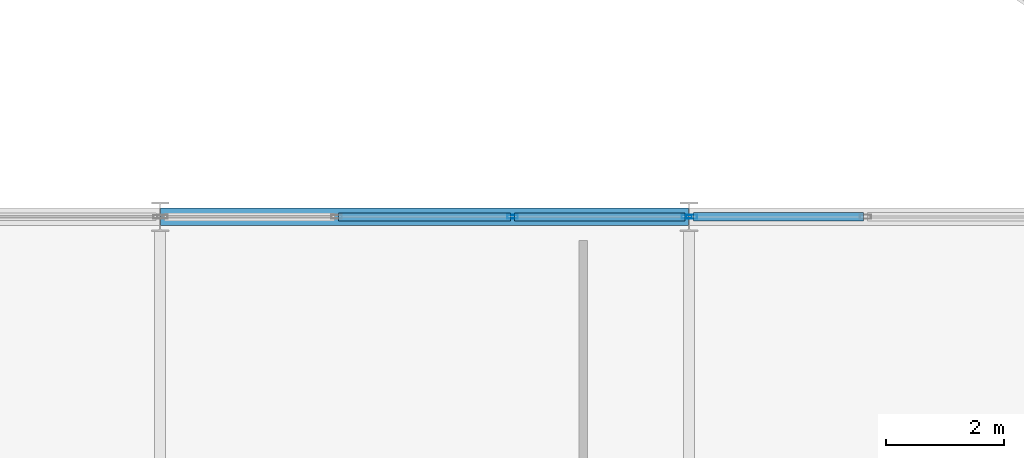
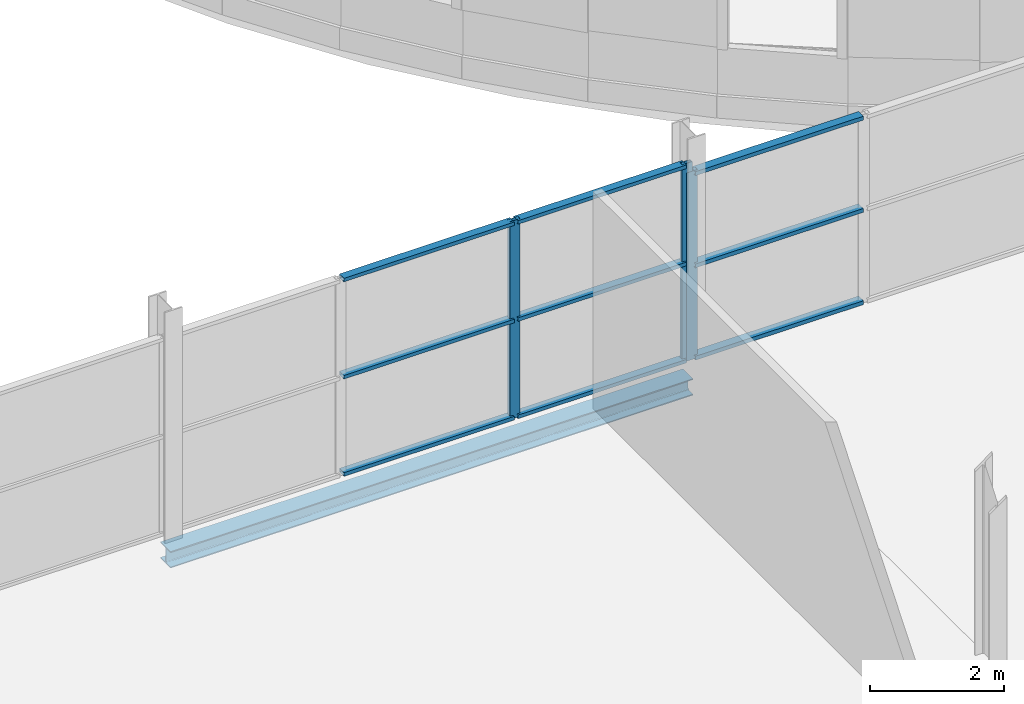
# One storey, part 73 of 140: 12 members, 1 beam, 2 elements without a shape of their own.
"""IFC4 building model written with IfcOpenShell, lengths in metres."""

from ifc_helpers import new_model, si_unit, direction, frame, origin, origin_2d, place, context, subcontext, project, spatial, hollow_rectangle, i_section, extrude, material, layer, layer_set, material_profile, profile_set, type_object, element, aggregate, save


model = new_model("IFC4")

# Units and contexts
model_context = context("Model", 3, precision=1e-05, world=origin(), true_north=direction((0.0, 1.0)))
body_context = subcontext(model_context, "Body", "Model", "MODEL_VIEW")
ifc_project = project(units=[si_unit("LENGTHUNIT", "METRE"), si_unit("AREAUNIT", "SQUARE_METRE"), si_unit("VOLUMEUNIT", "CUBIC_METRE"), si_unit("PLANEANGLEUNIT", "RADIAN"), si_unit("MASSUNIT", "GRAM", prefix="KILO")], contexts=[model_context])

# Site, building, storey
site_placement = place(None, origin())
site = spatial("IfcSite", under=ifc_project, at=site_placement, CompositionType="ELEMENT")
building_placement = place(site_placement, origin())
building = spatial("IfcBuilding", under=site, at=building_placement, Name="Deido Ridge Mobility Hub", CompositionType="ELEMENT")
storey_placement = place(building_placement, origin())
storey = spatial("IfcBuildingStorey", under=building, at=storey_placement, Name="L00", CompositionType="ELEMENT", Elevation=0.0)

# Curtain wall, members
ifc_material_1 = material(Name="Anodised aluminium EN AW-6063 T6", Category="aluminium")
ifc_layer_1 = layer(ifc_material_1, 0.156005859375, Name="Anodised aluminium EN AW-6063 T6")
ifc_layer_set_1 = layer_set([ifc_layer_1], Name="Anodised aluminium EN AW-6063 T6")
curtain_wall_type_1 = type_object("IfcCurtainWallType", Name="CW-GS-3", PredefinedType="USERDEFINED", material=ifc_layer_set_1)
curtain_wall_1_placement = place(storey_placement, origin())
curtain_wall_1 = element("IfcCurtainWall", 1, at=curtain_wall_1_placement, inside=storey, type_object=curtain_wall_type_1, Name="Unitised curtain wall GS3", ObjectType="GLAZED SCREEN", PredefinedType="USERDEFINED")
ifc_material_profile_1 = material_profile(ifc_material_1, hollow_rectangle(XDim=0.06494140625, YDim=0.175048828125, WallThickness=0.00390625, at=origin_2d()), Name="RHS 65x175x4")
ifc_profile_set_1 = profile_set([ifc_material_profile_1], Name="Anodised aluminium EN AW-6063 T6")
member_type_1 = type_object("IfcMemberType", Name="MEM-MUL-65X175", PredefinedType="MULLION", material=ifc_profile_set_1)
member_1_placement = place(storey_placement, frame((23.99755859375, 81.0, 0.0), z_axis=(0.0, 0.0, 1.0), x_axis=(0.0, 1.0, 0.0)))
member_1 = element("IfcMember", 2, at=member_1_placement, type_object=member_type_1, Name="GS3 mullion 3", PredefinedType="MULLION", context=body_context, shape_type="SweptSolid", body=[
    extrude(hollow_rectangle(XDim=0.06494140625, YDim=0.175048828125, WallThickness=0.00390625, at=origin_2d()), origin(), (0.0, 0.0, 1.0), 3.60009765625),
])
member_2_placement = place(storey_placement, frame((26.960205078125, 81.0, 0.0), z_axis=(0.0, 0.0, 1.0), x_axis=(0.0, 1.0, 0.0)))
member_2 = element("IfcMember", 3, at=member_2_placement, type_object=member_type_1, Name="GS3 mullion 4", PredefinedType="MULLION", context=body_context, shape_type="SweptSolid", body=[
    extrude(hollow_rectangle(XDim=0.06494140625, YDim=0.175048828125, WallThickness=0.00390625, at=origin_2d()), origin(), (0.0, 0.0, 1.0), 3.60009765625),
])

# Curtain wall, member
ifc_layer_2 = layer(ifc_material_1, 0.16796875, Name="Anodised aluminium EN AW-6063 T6")
ifc_layer_set_2 = layer_set([ifc_layer_2], Name="Anodised aluminium EN AW-6063 T6")
curtain_wall_type_2 = type_object("IfcCurtainWallType", Name="CW-GS-4", PredefinedType="USERDEFINED", material=ifc_layer_set_2)
curtain_wall_2_placement = place(storey_placement, origin())
curtain_wall_2 = element("IfcCurtainWall", 4, at=curtain_wall_2_placement, inside=storey, type_object=curtain_wall_type_2, Name="Unitised curtain wall GS4", ObjectType="GLAZED SCREEN", PredefinedType="USERDEFINED")
ifc_material_profile_2 = material_profile(ifc_material_1, hollow_rectangle(XDim=0.070068359375, YDim=0.18994140625, WallThickness=0.00390625, at=origin_2d()), Name="RHS 70x190x4")
ifc_profile_set_2 = profile_set([ifc_material_profile_2], Name="Anodised aluminium EN AW-6063 T6")
member_type_2 = type_object("IfcMemberType", Name="MEM-MUL-70X190", PredefinedType="MULLION", material=ifc_profile_set_2)
member_3_placement = place(storey_placement, frame((27.042236328125, 81.0, 0.0), z_axis=(0.0, 0.0, 1.0), x_axis=(0.0, 1.0, 0.0)))
member_3 = element("IfcMember", 5, at=member_3_placement, type_object=member_type_2, Name="GS4 mullion 1", PredefinedType="MULLION", context=body_context, shape_type="SweptSolid", body=[
    extrude(hollow_rectangle(XDim=0.070068359375, YDim=0.18994140625, WallThickness=0.00390625, at=origin_2d()), origin(), (0.0, 0.0, 1.0), 3.425048828125),
])

# Member
ifc_material_profile_3 = material_profile(ifc_material_1, hollow_rectangle(XDim=0.135009765625, YDim=0.06494140625, WallThickness=0.00390625, at=origin_2d()), Name="RHS 135x65x4")
ifc_profile_set_3 = profile_set([ifc_material_profile_3], Name="Anodised aluminium EN AW-6063 T6")
member_type_3 = type_object("IfcMemberType", Name="MEM-TRN-135X65", PredefinedType="USERDEFINED", material=ifc_profile_set_3)
member_4_placement = place(storey_placement, frame((21.034912109375, 81.0, 0.032470703125), z_axis=(1.0, 0.0, 0.0), x_axis=(0.0, 1.0, 0.0)))
member_4 = element("IfcMember", 6, at=member_4_placement, type_object=member_type_3, Name="GS3 transom 2.1", ObjectType="TRANSOM", PredefinedType="USERDEFINED", context=body_context, shape_type="SweptSolid", body=[
    extrude(hollow_rectangle(XDim=0.135009765625, YDim=0.06494140625, WallThickness=0.00390625, at=origin_2d()), origin(), (0.0, 0.0, 1.0), 2.93017578125),
])

member_5_placement = place(storey_placement, frame((21.034912109375, 81.0, 1.800048828125), z_axis=(1.0, 0.0, 0.0), x_axis=(0.0, 1.0, 0.0)))
member_5 = element("IfcMember", 7, at=member_5_placement, type_object=member_type_3, Name="GS3 transom 2.2", ObjectType="TRANSOM", PredefinedType="USERDEFINED", context=body_context, shape_type="SweptSolid", body=[
    extrude(hollow_rectangle(XDim=0.135009765625, YDim=0.06494140625, WallThickness=0.00390625, at=origin_2d()), origin(), (0.0, 0.0, 1.0), 2.93017578125),
])

member_6_placement = place(storey_placement, frame((21.034912109375, 81.0, 3.5673828125), z_axis=(1.0, 0.0, 0.0), x_axis=(0.0, 1.0, 0.0)))
member_6 = element("IfcMember", 8, at=member_6_placement, type_object=member_type_3, Name="GS3 transom 2.3", ObjectType="TRANSOM", PredefinedType="USERDEFINED", context=body_context, shape_type="SweptSolid", body=[
    extrude(hollow_rectangle(XDim=0.135009765625, YDim=0.06494140625, WallThickness=0.00390625, at=origin_2d()), origin(), (0.0, 0.0, 1.0), 2.93017578125),
])

member_7_placement = place(storey_placement, frame((24.030029296875, 81.0, 0.032470703125), z_axis=(1.0, 0.0, 0.0), x_axis=(0.0, 1.0, 0.0)))
member_7 = element("IfcMember", 9, at=member_7_placement, type_object=member_type_3, Name="GS3 transom 3.1", ObjectType="TRANSOM", PredefinedType="USERDEFINED", context=body_context, shape_type="SweptSolid", body=[
    extrude(hollow_rectangle(XDim=0.135009765625, YDim=0.06494140625, WallThickness=0.00390625, at=origin_2d()), origin(), (0.0, 0.0, 1.0), 2.897705078125),
])

member_8_placement = place(storey_placement, frame((24.030029296875, 81.0, 1.800048828125), z_axis=(1.0, 0.0, 0.0), x_axis=(0.0, 1.0, 0.0)))
member_8 = element("IfcMember", 10, at=member_8_placement, type_object=member_type_3, Name="GS3 transom 3.2", ObjectType="TRANSOM", PredefinedType="USERDEFINED", context=body_context, shape_type="SweptSolid", body=[
    extrude(hollow_rectangle(XDim=0.135009765625, YDim=0.06494140625, WallThickness=0.00390625, at=origin_2d()), origin(), (0.0, 0.0, 1.0), 2.897705078125),
])

member_9_placement = place(storey_placement, frame((24.030029296875, 81.0, 3.5673828125), z_axis=(1.0, 0.0, 0.0), x_axis=(0.0, 1.0, 0.0)))
member_9 = element("IfcMember", 11, at=member_9_placement, type_object=member_type_3, Name="GS3 transom 3.3", ObjectType="TRANSOM", PredefinedType="USERDEFINED", context=body_context, shape_type="SweptSolid", body=[
    extrude(hollow_rectangle(XDim=0.135009765625, YDim=0.06494140625, WallThickness=0.00390625, at=origin_2d()), origin(), (0.0, 0.0, 1.0), 2.897705078125),
])

aggregate(curtain_wall_1, [member_1, member_2, member_4, member_5, member_6, member_7, member_8, member_9])

ifc_material_profile_4 = material_profile(ifc_material_1, hollow_rectangle(XDim=0.14501953125, YDim=0.070068359375, WallThickness=0.00390625, at=origin_2d()), Name="RHS 145x70x4")
ifc_profile_set_4 = profile_set([ifc_material_profile_4], Name="Anodised aluminium EN AW-6063 T6")
member_type_4 = type_object("IfcMemberType", Name="MEM-TRN-145X70", PredefinedType="USERDEFINED", material=ifc_profile_set_4)
member_10_placement = place(storey_placement, frame((27.0771484375, 81.0, 0.034912109375), z_axis=(1.0, 0.0, 0.0), x_axis=(0.0, 1.0, 0.0)))
member_10 = element("IfcMember", 12, at=member_10_placement, type_object=member_type_4, Name="GS4 transom 1.1", ObjectType="TRANSOM", PredefinedType="USERDEFINED", context=body_context, shape_type="SweptSolid", body=[
    extrude(hollow_rectangle(XDim=0.14501953125, YDim=0.070068359375, WallThickness=0.00390625, at=origin_2d()), origin(), (0.0, 0.0, 1.0), 2.89013671875),
])

member_11_placement = place(storey_placement, frame((27.0771484375, 81.0, 1.71240234375), z_axis=(1.0, 0.0, 0.0), x_axis=(0.0, 1.0, 0.0)))
member_11 = element("IfcMember", 13, at=member_11_placement, type_object=member_type_4, Name="GS4 transom 1.2", ObjectType="TRANSOM", PredefinedType="USERDEFINED", context=body_context, shape_type="SweptSolid", body=[
    extrude(hollow_rectangle(XDim=0.14501953125, YDim=0.070068359375, WallThickness=0.00390625, at=origin_2d()), origin(), (0.0, 0.0, 1.0), 2.89013671875),
])

member_12_placement = place(storey_placement, frame((27.0771484375, 81.0, 3.389892578125), z_axis=(1.0, 0.0, 0.0), x_axis=(0.0, 1.0, 0.0)))
member_12 = element("IfcMember", 14, at=member_12_placement, type_object=member_type_4, Name="GS4 transom 1.3", ObjectType="TRANSOM", PredefinedType="USERDEFINED", context=body_context, shape_type="SweptSolid", body=[
    extrude(hollow_rectangle(XDim=0.14501953125, YDim=0.070068359375, WallThickness=0.00390625, at=origin_2d()), origin(), (0.0, 0.0, 1.0), 2.89013671875),
])

aggregate(curtain_wall_2, [member_3, member_10, member_11, member_12])

# Beam
ifc_material_2 = material(Name="Steel S355J2 EN 10025-2", Category="steel")
ifc_material_profile_5 = material_profile(ifc_material_2, i_section(OverallWidth=0.300048828125, OverallDepth=0.300048828125, WebThickness=0.010986328125, FlangeThickness=0.01904296875, FilletRadius=0.027099609375, at=origin_2d()), Name="HEB 300")
ifc_profile_set_5 = profile_set([ifc_material_profile_5], Name="Steel S355J2 EN 10025-2")
beam_type = type_object("IfcBeamType", Name="SPD-HEB300", PredefinedType="SPANDREL", material=ifc_profile_set_5)
beam_placement = place(storey_placement, frame((18.007080078125, 81.0, -0.409912109375), z_axis=(1.0, 0.0, 0.0), x_axis=(0.0, 1.0, 0.0)))
element("IfcBeam", 15, at=beam_placement, inside=storey, type_object=beam_type, Name="Floor beam SP1", PredefinedType="SPANDREL", context=body_context, shape_type="SweptSolid", body=[
    extrude(i_section(OverallWidth=0.300048828125, OverallDepth=0.300048828125, WebThickness=0.010986328125, FlangeThickness=0.01904296875, FilletRadius=0.027099609375, at=origin_2d()), origin(), (0.0, 0.0, 1.0), 8.98583984375),
])

save(model, "model.ifc")
